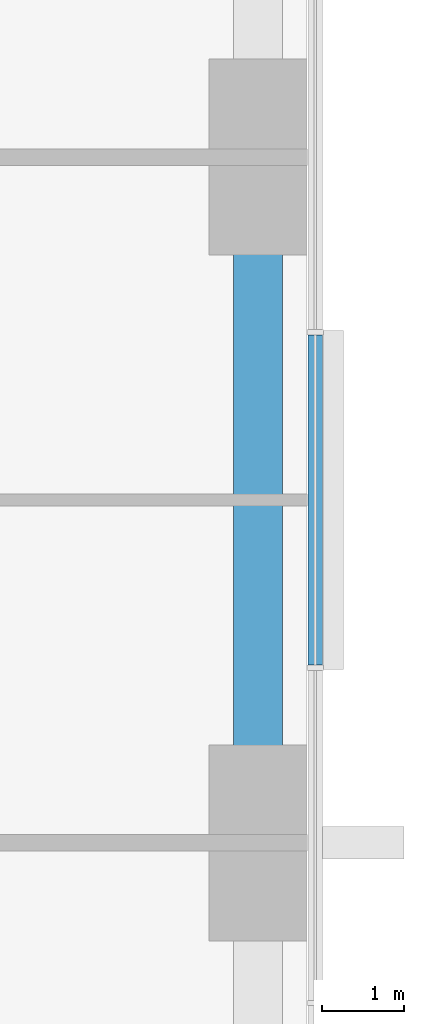
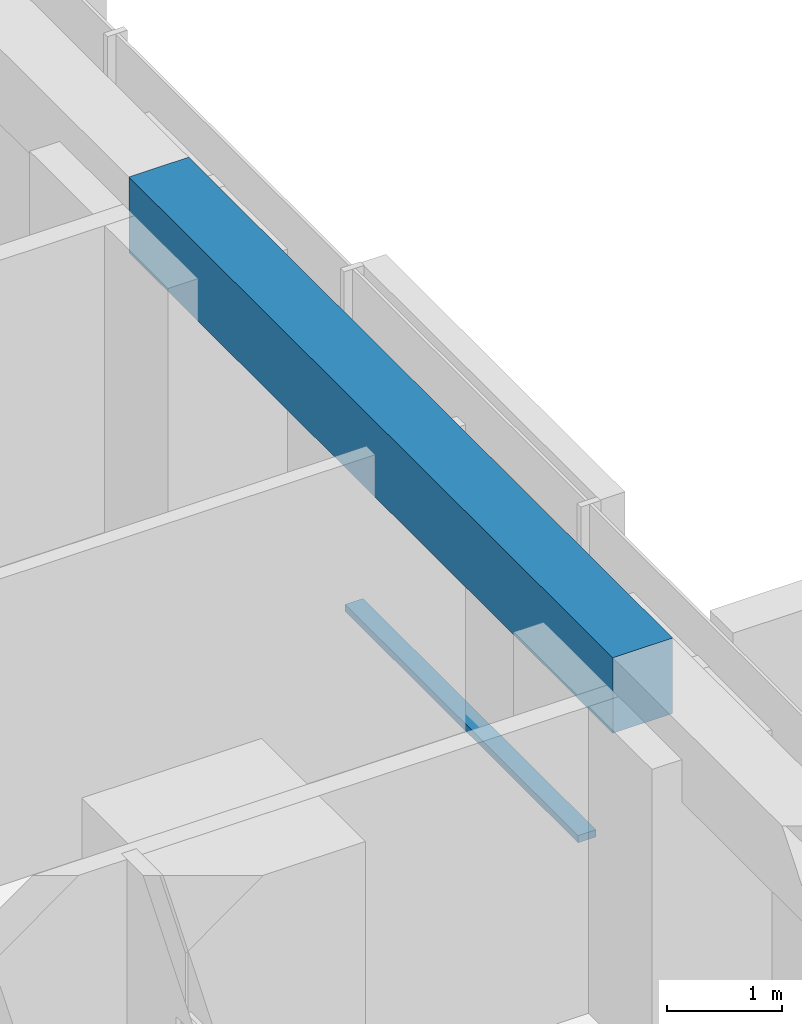
# One storey, part 5 of 17: 1 beam, 1 member, 1 element without a shape of its own.
"""IFC4 building model written with IfcOpenShell, lengths in metres."""

from ifc_helpers import new_model, si_unit, direction, frame, origin, origin_2d, place, context, subcontext, project, spatial, rectangle, extrude, material, material_profile, profile_set, type_object, element, aggregate, save


model = new_model("IFC4")

# Units and contexts
model_context = context("Model", 3, precision=1e-05, world=origin(), true_north=direction((0.0, 1.0)))
body_context = subcontext(model_context, "Body", "Model", "MODEL_VIEW")
ifc_project = project(units=[si_unit("LENGTHUNIT", "METRE"), si_unit("AREAUNIT", "SQUARE_METRE"), si_unit("VOLUMEUNIT", "CUBIC_METRE"), si_unit("PLANEANGLEUNIT", "RADIAN"), si_unit("MASSUNIT", "GRAM", prefix="KILO")], contexts=[model_context])

# Site, building, storey
site_placement = place(None, origin())
site = spatial("IfcSite", under=ifc_project, at=site_placement, CompositionType="ELEMENT")
building_placement = place(site_placement, origin())
building = spatial("IfcBuilding", under=site, at=building_placement, Name="Dunama Terrace Hotel", CompositionType="ELEMENT")
storey_placement = place(building_placement, frame((0.0, 0.0, 55.800048828125)))
storey = spatial("IfcBuildingStorey", under=building, at=storey_placement, Name="L13", CompositionType="ELEMENT", Elevation=55.800048828125)

# Curtain wall, member
ifc_material_1 = material(Name="Aluminium curtain wall system", Category="aluminium")
curtain_wall_type = type_object("IfcCurtainWallType", Name="Unitised fritted glass wall CW-A", PredefinedType="NOTDEFINED", material=ifc_material_1)
curtain_wall_placement = place(storey_placement, origin())
curtain_wall = element("IfcCurtainWall", 1, at=curtain_wall_placement, inside=storey, type_object=curtain_wall_type, Name="Unitised fritted glass wall CW-A L13", PredefinedType="NOTDEFINED")
ifc_material_2 = material(Name="Aluminium transom", Category="aluminium")
ifc_material_profile_1 = material_profile(ifc_material_2, rectangle(XDim=0.179931640625, YDim=0.074951171875, at=origin_2d()), Name="CWA TRANSOM 180X75")
ifc_profile_set_1 = profile_set([ifc_material_profile_1], Name="Aluminium transom")
member_type = type_object("IfcMemberType", Name="CWA transom 180x75", PredefinedType="USERDEFINED", material=ifc_profile_set_1)
member_placement = place(storey_placement, frame((58.89990234375, 27.37890625, 0.037353515625), z_axis=(0.0, 1.0, 0.0), x_axis=(-1.0, 0.0, 0.0)))
member = element("IfcMember", 2, at=member_placement, type_object=member_type, Name="CWA transom", ObjectType="TRANSOM", PredefinedType="USERDEFINED", context=body_context, shape_type="SweptSolid", body=[
    extrude(rectangle(XDim=0.179931640625, YDim=0.074951171875, at=origin_2d()), origin(), (0.0, 0.0, 1.0), 4.0419921875),
])
aggregate(curtain_wall, [member])

# Beam
ifc_material_3 = material(Name="Concrete C40/50", Category="concrete")
ifc_material_profile_2 = material_profile(ifc_material_3, rectangle(XDim=0.60009765625, YDim=0.800048828125, at=origin_2d()), Name="RC 600x800")
ifc_profile_set_2 = profile_set([ifc_material_profile_2], Name="Concrete C40/50")
beam_type = type_object("IfcBeamType", Name="Edge beam RC 600x800", PredefinedType="SPANDREL", material=ifc_profile_set_2)
beam_placement = place(storey_placement, frame((58.199951171875, 25.199951171875, 3.199951171875), z_axis=(0.0, 1.0, 0.0), x_axis=(-1.0, 0.0, 0.0)))
element("IfcBeam", 3, at=beam_placement, inside=storey, type_object=beam_type, Name="Edge beam under L14", PredefinedType="SPANDREL", context=body_context, shape_type="SweptSolid", body=[
    extrude(rectangle(XDim=0.60009765625, YDim=0.800048828125, at=origin_2d()), origin(), (0.0, 0.0, 1.0), 8.400146484375),
])

save(model, "model.ifc")
